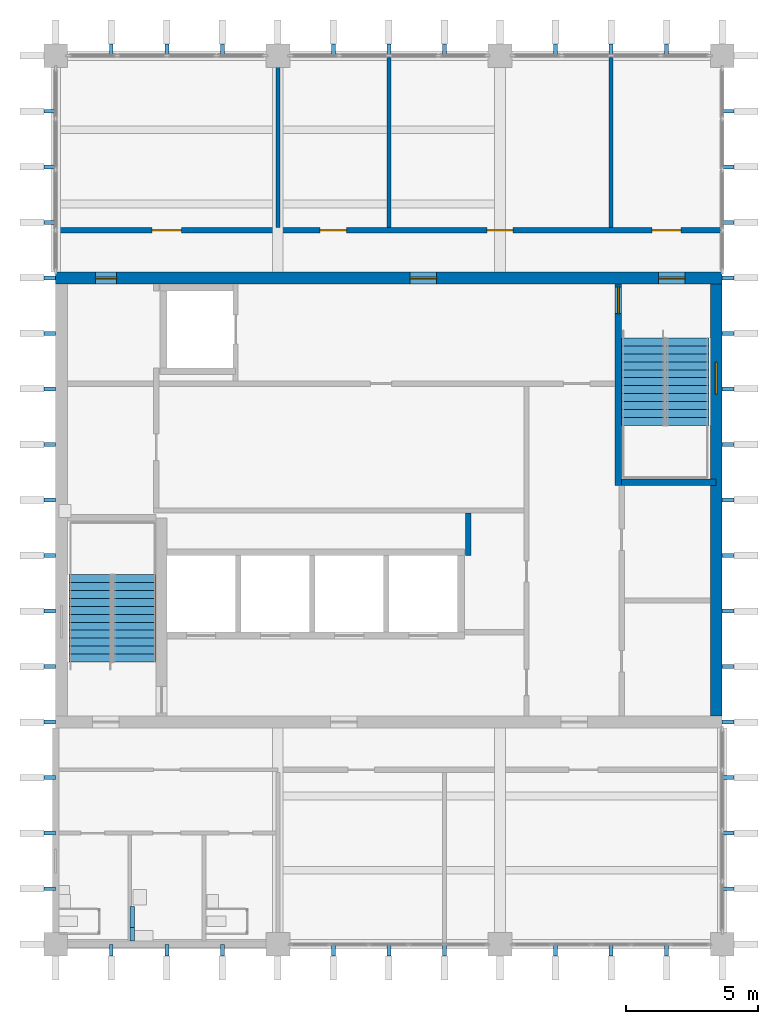
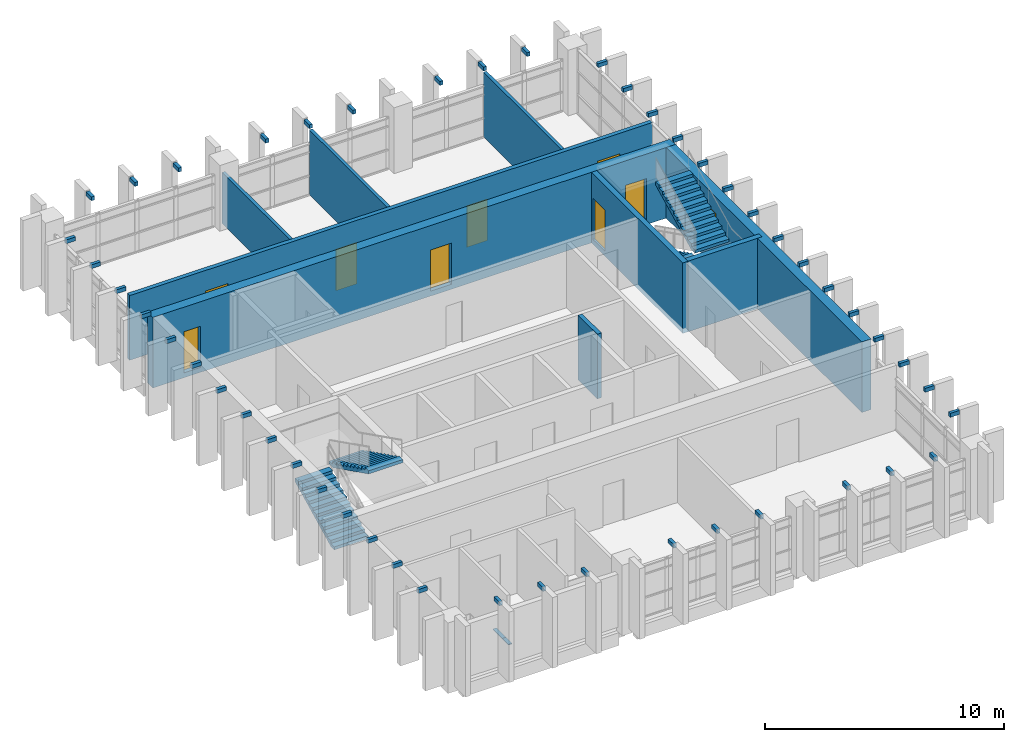
# One storey, part 8 of 10: 50 discrete accessories, 9 walls, 8 doors, 4 stair flights, 1 window, 9 openings, 2 elements without a shape of their own.
"""IFC4 building model written with IfcOpenShell, lengths in metres."""

from ifc_helpers import new_model, si_unit, direction, frame, frame_2d, origin, origin_2d, place, context, subcontext, project, spatial, polyline, rectangle, outline, extrude, material, layer, layer_set, type_object, element, fill, aggregate, save


model = new_model("IFC4")

# Units and contexts
model_context = context("Model", 3, precision=1e-05, world=origin(), true_north=direction((0.0, 1.0)))
body_context = subcontext(model_context, "Body", "Model", "MODEL_VIEW")
ifc_project = project(units=[si_unit("LENGTHUNIT", "METRE"), si_unit("AREAUNIT", "SQUARE_METRE"), si_unit("VOLUMEUNIT", "CUBIC_METRE"), si_unit("PLANEANGLEUNIT", "RADIAN"), si_unit("MASSUNIT", "GRAM", prefix="KILO")], contexts=[model_context])

# Site, building, storey
site_placement = place(None, origin())
site = spatial("IfcSite", under=ifc_project, at=site_placement, CompositionType="ELEMENT")
building_placement = place(site_placement, origin())
building = spatial("IfcBuilding", under=site, at=building_placement, Name="Rulbaag Community and Learning Centre", CompositionType="ELEMENT")
storey_placement = place(building_placement, frame((0.0, 0.0, 28.800048828125)))
storey = spatial("IfcBuildingStorey", under=building, at=storey_placement, Name="L07", CompositionType="ELEMENT", Elevation=28.800048828125)

# Wall, openings, doors
ifc_material_1 = material(Name="Concrete blockwork", Category="masonry")
ifc_layer_1 = layer(ifc_material_1, 0.199951171875)
ifc_layer_set_1 = layer_set([ifc_layer_1], Name="FW-200 FIRE WALL 200")
wall_type_1 = type_object("IfcWallType", Name="FW-200 FIRE WALL 200", PredefinedType="SOLIDWALL", material=ifc_layer_set_1)
wall_1_placement = place(storey_placement, frame((142.800048828125, 111.0, 0.0), z_axis=(0.0, 0.0, 1.0), x_axis=(1.0, 0.0, 0.0)))
wall_1 = element("IfcWall", 1, at=wall_1_placement, inside=storey, type_object=wall_type_1, Name="Fire wall L07 10", PredefinedType="SOLIDWALL", context=body_context, shape_type="SweptSolid", body=[
    extrude(rectangle(XDim=25.199951171875, YDim=0.199951171875, at=frame_2d((12.60009765625, 0.0))), origin(), (0.0, 0.0, 1.0), 3.300048828125),
])
opening_1_placement = place(wall_1_placement, frame((3.64990234375, 0.0, 0.0)))
opening_1 = element("IfcOpeningElement", 2, at=opening_1_placement, cuts=wall_1, Name="Opening L07-D009", PredefinedType="OPENING", context=body_context, shape_type="SweptSolid", body=[
    extrude(rectangle(XDim=1.10009765625, YDim=2.25, at=frame_2d((0.550048828125, 1.125))), frame((0.0, 0.10986328125, 0.0), z_axis=(0.0, -1.0, 0.0), x_axis=(1.0, 0.0, 0.0)), (0.0, 0.0, 1.0), 0.219970703125),
])
opening_2_placement = place(wall_1_placement, frame((10.0, 0.0, 0.0)))
opening_2 = element("IfcOpeningElement", 3, at=opening_2_placement, cuts=wall_1, Name="Opening L07-D015", PredefinedType="OPENING", context=body_context, shape_type="SweptSolid", body=[
    extrude(rectangle(XDim=1.0, YDim=2.10009765625, at=frame_2d((0.5, 1.050048828125))), frame((0.0, 0.10986328125, 0.0), z_axis=(0.0, -1.0, 0.0), x_axis=(1.0, 0.0, 0.0)), (0.0, 0.0, 1.0), 0.219970703125),
])
opening_3_placement = place(wall_1_placement, frame((16.300048828125, 0.0, 0.0)))
opening_3 = element("IfcOpeningElement", 4, at=opening_3_placement, cuts=wall_1, Name="Opening L07-D022", PredefinedType="OPENING", context=body_context, shape_type="SweptSolid", body=[
    extrude(rectangle(XDim=1.0, YDim=2.10009765625, at=frame_2d((0.5, 1.050048828125))), frame((0.0, 0.10986328125, 0.0), z_axis=(0.0, -1.0, 0.0), x_axis=(1.0, 0.0, 0.0)), (0.0, 0.0, 1.0), 0.219970703125),
])
opening_4_placement = place(wall_1_placement, frame((22.550048828125, 0.0, 0.0)))
opening_4 = element("IfcOpeningElement", 5, at=opening_4_placement, cuts=wall_1, Name="Opening L07-D031", PredefinedType="OPENING", context=body_context, shape_type="SweptSolid", body=[
    extrude(rectangle(XDim=1.10009765625, YDim=2.25, at=frame_2d((0.550048828125, 1.125))), frame((0.0, 0.10986328125, 0.0), z_axis=(0.0, -1.0, 0.0), x_axis=(1.0, 0.0, 0.0)), (0.0, 0.0, 1.0), 0.219970703125),
])
ifc_material_2 = material(Name="Timber", Category="wood")
door_type_1 = type_object("IfcDoorType", Name="D-1100 OFFICE SUITE ENTRANCE DOOR 1100 x 2250", OperationType="SINGLE_SWING_LEFT", PredefinedType="DOOR", material=ifc_material_2)
door_1_placement = place(opening_1_placement, origin())
door_1 = element("IfcDoor", 6, at=door_1_placement, inside=storey, type_object=door_type_1, Name="Door L07-D009", OperationType="SINGLE_SWING_RIGHT", OverallHeight=2.25, OverallWidth=1.10009765625, PredefinedType="DOOR", context=body_context, shape_type="SweptSolid", body=[
    extrude(rectangle(XDim=1.10009765625, YDim=2.25, at=frame_2d((0.550048828125, 1.125))), frame((0.0, 0.02490234375, 0.0), z_axis=(0.0, -1.0, 0.0), x_axis=(1.0, 0.0, 0.0)), (0.0, 0.0, 1.0), 0.050048828125),
])
fill(opening_1, door_1)
door_2_placement = place(opening_4_placement, origin())
door_2 = element("IfcDoor", 7, at=door_2_placement, inside=storey, type_object=door_type_1, Name="Door L07-D031", OperationType="SINGLE_SWING_LEFT", OverallHeight=2.25, OverallWidth=1.10009765625, PredefinedType="DOOR", context=body_context, shape_type="SweptSolid", body=[
    extrude(rectangle(XDim=1.10009765625, YDim=2.25, at=frame_2d((0.550048828125, 1.125))), frame((0.0, 0.02490234375, 0.0), z_axis=(0.0, -1.0, 0.0), x_axis=(1.0, 0.0, 0.0)), (0.0, 0.0, 1.0), 0.050048828125),
])
fill(opening_4, door_2)
ifc_material_3 = material(Name="Galvanised steel", Category="steel")
door_type_2 = type_object("IfcDoorType", Name="FD-1000 FIRE DOOR 1000 x 2100", OperationType="SINGLE_SWING_LEFT", PredefinedType="DOOR", material=ifc_material_3)
door_3_placement = place(opening_2_placement, origin())
door_3 = element("IfcDoor", 8, at=door_3_placement, inside=storey, type_object=door_type_2, Name="Door L07-D015", OperationType="SINGLE_SWING_RIGHT", OverallHeight=2.10009765625, OverallWidth=1.0, PredefinedType="DOOR", context=body_context, shape_type="SweptSolid", body=[
    extrude(rectangle(XDim=1.0, YDim=2.10009765625, at=frame_2d((0.5, 1.050048828125))), frame((0.0, 0.02490234375, 0.0), z_axis=(0.0, -1.0, 0.0), x_axis=(1.0, 0.0, 0.0)), (0.0, 0.0, 1.0), 0.050048828125),
])
fill(opening_2, door_3)
door_4_placement = place(opening_3_placement, origin())
door_4 = element("IfcDoor", 9, at=door_4_placement, inside=storey, type_object=door_type_2, Name="Door L07-D022", OperationType="SINGLE_SWING_LEFT", OverallHeight=2.10009765625, OverallWidth=1.0, PredefinedType="DOOR", context=body_context, shape_type="SweptSolid", body=[
    extrude(rectangle(XDim=1.0, YDim=2.10009765625, at=frame_2d((0.5, 1.050048828125))), frame((0.0, 0.02490234375, 0.0), z_axis=(0.0, -1.0, 0.0), x_axis=(1.0, 0.0, 0.0)), (0.0, 0.0, 1.0), 0.050048828125),
])
fill(opening_3, door_4)

# Walls
wall_2_placement = place(storey_placement, frame((158.39990234375, 98.699951171875, 0.0), z_axis=(0.0, 0.0, 1.0), x_axis=(0.0, 1.0, 0.0)))
element("IfcWall", 10, at=wall_2_placement, inside=storey, type_object=wall_type_1, Name="Fire wall L07 20", PredefinedType="SOLIDWALL", context=body_context, shape_type="SweptSolid", body=[
    extrude(rectangle(XDim=1.60009765625, YDim=0.199951171875, at=frame_2d((0.800048828125, 0.0))), origin(), (0.0, 0.0, 1.0), 3.300048828125),
])
ifc_layer_2 = layer(ifc_material_1, 0.14990234375)
ifc_layer_set_2 = layer_set([ifc_layer_2], Name="IP-150 PARTITION 150")
wall_type_2 = type_object("IfcWallType", Name="IP-150 PARTITION 150", PredefinedType="PARTITIONING", material=ifc_layer_set_2)
wall_3_placement = place(storey_placement, frame((151.199951171875, 111.10009765625, 0.0), z_axis=(0.0, 0.0, 1.0), x_axis=(0.0, 1.0, 0.0)))
element("IfcWall", 11, at=wall_3_placement, inside=storey, type_object=wall_type_2, Name="Partition L07 17", PredefinedType="PARTITIONING", context=body_context, shape_type="SweptSolid", body=[
    extrude(rectangle(XDim=6.5, YDim=0.14990234375, at=frame_2d((3.25, 0.0))), origin(), (0.0, 0.0, 1.0), 2.599853515625),
])
for number, where, z_axis, x_axis, name in (
    (12, (155.39990234375, 111.10009765625, 0.0), (0.0, 0.0, 1.0), (0.0, 1.0, 0.0), "Partition L07 18"),
    (13, (163.800048828125, 111.10009765625, 0.0), (0.0, 0.0, 1.0), (0.0, 1.0, 0.0), "Partition L07 22"),
):
    element("IfcWall", number, at=place(storey_placement, frame(where, z_axis=z_axis, x_axis=x_axis)), inside=storey, type_object=wall_type_2, Name=name, PredefinedType="PARTITIONING", context=body_context, shape_type="SweptSolid", body=[
        extrude(rectangle(XDim=6.5, YDim=0.14990234375, at=frame_2d((3.25, 0.0))), origin(), (0.0, 0.0, 1.0), 3.300048828125),
    ])

# Wall, openings, doors
ifc_material_4 = material(Name="Concrete M60", Category="concrete")
ifc_layer_3 = layer(ifc_material_4, 0.449951171875)
ifc_layer_set_3 = layer_set([ifc_layer_3], Name="W1 Core wall 450 Concrete M60")
wall_type_3 = type_object("IfcWallType", Name="W1 Core wall 450 Concrete M60", PredefinedType="SHEAR", material=ifc_layer_set_3)
wall_4_placement = place(storey_placement, frame((142.800048828125, 109.199951171875, -0.25), z_axis=(0.0, 0.0, 1.0), x_axis=(1.0, 0.0, 0.0)))
wall_4 = element("IfcWall", 14, at=wall_4_placement, inside=storey, type_object=wall_type_3, Name="WL-CORE-N-L07", PredefinedType="SHEAR", context=body_context, shape_type="SweptSolid", body=[
    extrude(rectangle(XDim=25.199951171875, YDim=0.449951171875, at=frame_2d((12.60009765625, 0.0))), origin(), (0.0, 0.0, 1.0), 3.599853515625),
])
opening_5_placement = place(wall_4_placement, frame((22.800048828125, 0.0, 0.25)))
opening_5 = element("IfcOpeningElement", 15, at=opening_5_placement, cuts=wall_4, Name="Opening L07-D032", PredefinedType="OPENING", context=body_context, shape_type="SweptSolid", body=[
    extrude(rectangle(XDim=1.0, YDim=2.10009765625, at=frame_2d((0.5, 1.050048828125))), frame((0.0, 0.23486328125, 0.0), z_axis=(0.0, -1.0, 0.0), x_axis=(1.0, 0.0, 0.0)), (0.0, 0.0, 1.0), 0.469970703125),
])
opening_6_placement = place(wall_4_placement, frame((1.5, 0.0, 0.25)))
opening_6 = element("IfcOpeningElement", 16, at=opening_6_placement, cuts=wall_4, Name="Opening L07-D004", PredefinedType="OPENING", context=body_context, shape_type="SweptSolid", body=[
    extrude(rectangle(XDim=0.800048828125, YDim=2.10009765625, at=frame_2d((0.39990234375, 1.050048828125))), frame((0.0, 0.23486328125, 0.0), z_axis=(0.0, -1.0, 0.0), x_axis=(1.0, 0.0, 0.0)), (0.0, 0.0, 1.0), 0.469970703125),
])
opening_7_placement = place(wall_4_placement, frame((13.39990234375, 0.0, 0.25)))
opening_7 = element("IfcOpeningElement", 17, at=opening_7_placement, cuts=wall_4, Name="Opening L07-D021", PredefinedType="OPENING", context=body_context, shape_type="SweptSolid", body=[
    extrude(rectangle(XDim=1.0, YDim=2.10009765625, at=frame_2d((0.5, 1.050048828125))), frame((0.0, 0.23486328125, 0.0), z_axis=(0.0, -1.0, 0.0), x_axis=(1.0, 0.0, 0.0)), (0.0, 0.0, 1.0), 0.469970703125),
])
door_5_placement = place(opening_5_placement, origin())
door_5 = element("IfcDoor", 18, at=door_5_placement, inside=storey, type_object=door_type_2, Name="Door L07-D032", OperationType="SINGLE_SWING_LEFT", OverallHeight=2.10009765625, OverallWidth=1.0, PredefinedType="DOOR", context=body_context, shape_type="SweptSolid", body=[
    extrude(rectangle(XDim=1.0, YDim=2.10009765625, at=frame_2d((0.5, 1.050048828125))), frame((0.0, 0.02490234375, 0.0), z_axis=(0.0, -1.0, 0.0), x_axis=(1.0, 0.0, 0.0)), (0.0, 0.0, 1.0), 0.050048828125),
])
fill(opening_5, door_5)
door_6_placement = place(opening_7_placement, origin())
door_6 = element("IfcDoor", 19, at=door_6_placement, inside=storey, type_object=door_type_2, Name="Door L07-D021", OperationType="SINGLE_SWING_LEFT", OverallHeight=2.10009765625, OverallWidth=1.0, PredefinedType="DOOR", context=body_context, shape_type="SweptSolid", body=[
    extrude(rectangle(XDim=1.0, YDim=2.10009765625, at=frame_2d((0.5, 1.050048828125))), frame((0.0, 0.02490234375, 0.0), z_axis=(0.0, -1.0, 0.0), x_axis=(1.0, 0.0, 0.0)), (0.0, 0.0, 1.0), 0.050048828125),
])
fill(opening_7, door_6)
door_type_3 = type_object("IfcDoorType", Name="FDR-800 RISER FIRE DOOR 800 x 2100", OperationType="SINGLE_SWING_LEFT", PredefinedType="DOOR", material=ifc_material_3)
door_7_placement = place(opening_6_placement, origin())
door_7 = element("IfcDoor", 20, at=door_7_placement, inside=storey, type_object=door_type_3, Name="Riser door L07-D024", OperationType="SINGLE_SWING_LEFT", OverallHeight=2.10009765625, OverallWidth=0.800048828125, PredefinedType="DOOR", context=body_context, shape_type="SweptSolid", body=[
    extrude(rectangle(XDim=0.800048828125, YDim=2.10009765625, at=frame_2d((0.39990234375, 1.050048828125))), frame((0.0, 0.02490234375, 0.0), z_axis=(0.0, -1.0, 0.0), x_axis=(1.0, 0.0, 0.0)), (0.0, 0.0, 1.0), 0.050048828125),
])
fill(opening_6, door_7)

# Wall, opening, window
wall_5_placement = place(storey_placement, frame((167.77490234375, 92.625, -0.25), z_axis=(0.0, 0.0, 1.0), x_axis=(0.0, 1.0, 0.0)))
wall_5 = element("IfcWall", 21, at=wall_5_placement, inside=storey, type_object=wall_type_3, Name="WL-CORE-E-L07", PredefinedType="SHEAR", context=body_context, shape_type="SweptSolid", body=[
    extrude(rectangle(XDim=16.35009765625, YDim=0.449951171875, at=frame_2d((8.175048828125, 0.0))), origin(), (0.0, 0.0, 1.0), 3.599853515625),
])
opening_8_placement = place(wall_5_placement, frame((12.175048828125, 0.0, 1.85009765625)))
opening_8 = element("IfcOpeningElement", 22, at=opening_8_placement, cuts=wall_5, Name="Opening WN19", PredefinedType="OPENING", context=body_context, shape_type="SweptSolid", body=[
    extrude(rectangle(XDim=1.199951171875, YDim=0.89990234375, at=frame_2d((0.60009765625, 0.449951171875))), frame((0.0, 0.23486328125, 0.0), z_axis=(0.0, -1.0, 0.0), x_axis=(1.0, 0.0, 0.0)), (0.0, 0.0, 1.0), 0.469970703125),
])
ifc_material_5 = material(Name="Aluminium", Category="aluminium")
window_type = type_object("IfcWindowType", Name="WS-12", PartitioningType="SINGLE_PANEL", PredefinedType="WINDOW", material=ifc_material_5)
window_placement = place(opening_8_placement, origin())
window = element("IfcWindow", 23, at=window_placement, inside=storey, type_object=window_type, Name="Stair window", OverallHeight=0.89990234375, OverallWidth=1.199951171875, PartitioningType="SINGLE_PANEL", PredefinedType="WINDOW", context=body_context, shape_type="SweptSolid", body=[
    extrude(rectangle(XDim=1.199951171875, YDim=0.89990234375, at=frame_2d((0.60009765625, 0.449951171875))), frame((0.0, 0.030029296875, 0.0), z_axis=(0.0, -1.0, 0.0), x_axis=(1.0, 0.0, 0.0)), (0.0, 0.0, 1.0), 0.06005859375),
])
fill(opening_8, window)

# Wall, opening, door
ifc_material_6 = material(Name="Concrete M40", Category="concrete")
ifc_layer_4 = layer(ifc_material_6, 0.25)
ifc_layer_set_4 = layer_set([ifc_layer_4], Name="W5 Shaft wall 250 Concrete M40")
wall_type_4 = type_object("IfcWallType", Name="W5 Shaft wall 250 Concrete M40", PredefinedType="SHEAR", material=ifc_layer_set_4)
wall_6_placement = place(storey_placement, frame((164.074951171875, 101.35009765625, -0.25), z_axis=(0.0, 0.0, 1.0), x_axis=(0.0, 1.0, 0.0)))
wall_6 = element("IfcWall", 24, at=wall_6_placement, inside=storey, type_object=wall_type_4, Name="WL-ST2-W-L07", PredefinedType="SHEAR", context=body_context, shape_type="SweptSolid", body=[
    extrude(rectangle(XDim=7.625, YDim=0.25, at=frame_2d((3.8125, 0.0))), origin(), (0.0, 0.0, 1.0), 3.599853515625),
])
opening_9_placement = place(wall_6_placement, frame((6.5, 0.0, 0.25)))
opening_9 = element("IfcOpeningElement", 25, at=opening_9_placement, cuts=wall_6, Name="Opening L07-D028", PredefinedType="OPENING", context=body_context, shape_type="SweptSolid", body=[
    extrude(rectangle(XDim=1.0, YDim=2.10009765625, at=frame_2d((0.5, 1.050048828125))), frame((0.0, 0.135009765625, 0.0), z_axis=(0.0, -1.0, 0.0), x_axis=(1.0, 0.0, 0.0)), (0.0, 0.0, 1.0), 0.27001953125),
])
door_8_placement = place(opening_9_placement, origin())
door_8 = element("IfcDoor", 26, at=door_8_placement, inside=storey, type_object=door_type_2, Name="Door L07-D028", OperationType="SINGLE_SWING_LEFT", OverallHeight=2.10009765625, OverallWidth=1.0, PredefinedType="DOOR", context=body_context, shape_type="SweptSolid", body=[
    extrude(rectangle(XDim=1.0, YDim=2.10009765625, at=frame_2d((0.5, 1.050048828125))), frame((0.0, 0.02490234375, 0.0), z_axis=(0.0, -1.0, 0.0), x_axis=(1.0, 0.0, 0.0)), (0.0, 0.0, 1.0), 0.050048828125),
])
fill(opening_9, door_8)

# Wall
wall_7_placement = place(storey_placement, frame((164.199951171875, 101.47509765625, -0.25), z_axis=(0.0, 0.0, 1.0), x_axis=(1.0, 0.0, 0.0)))
element("IfcWall", 27, at=wall_7_placement, inside=storey, type_object=wall_type_4, Name="WL-ST2-S-L07", PredefinedType="SHEAR", context=body_context, shape_type="SweptSolid", body=[
    extrude(rectangle(XDim=3.574951171875, YDim=0.25, at=frame_2d((1.78759765625, 0.0))), origin(), (0.0, 0.0, 1.0), 3.599853515625),
])

# Stair, stair flights
stair_type = type_object("IfcStairType", Name="ST-1650 STAIR 1650 WIDE", PredefinedType="HALF_TURN_STAIR", material=ifc_material_6)
stair_1_placement = place(storey_placement, origin())
stair_1 = element("IfcStair", 28, at=stair_1_placement, inside=storey, type_object=stair_type, Name="Stair ST1 L07", PredefinedType="HALF_TURN_STAIR")
stair_flight_type = type_object("IfcStairFlightType", Name="FL-1650 FLIGHT 1650 WIDE Concrete M40", PredefinedType="STRAIGHT", material=ifc_material_6)
stair_flight_1_placement = place(storey_placement, frame((144.125, 94.675048828125, 0.0), z_axis=(0.0, 0.0, 1.0), x_axis=(0.0, 1.0, 0.0)))
stair_flight_1 = element("IfcStairFlight", 29, at=stair_flight_1_placement, type_object=stair_flight_type, Name="ST1 flight 1", NumberOfRisers=12, NumberOfTreads=11, PredefinedType="STRAIGHT", RiserHeight=0.15, TreadLength=0.3, context=body_context, shape_type="SweptSolid", body=[
    extrude(outline(polyline([(0.0, 0.0), (0.0, 0.14990234375), (0.300048828125, 0.14990234375), (0.300048828125, 0.300048828125), (0.60009765625, 0.300048828125), (0.60009765625, 0.449951171875), (0.89990234375, 0.449951171875), (0.89990234375, 0.60009765625), (1.199951171875, 0.60009765625), (1.199951171875, 0.75), (1.5, 0.75), (1.5, 0.89990234375), (1.800048828125, 0.89990234375), (1.800048828125, 1.050048828125), (2.10009765625, 1.050048828125), (2.10009765625, 1.199951171875), (2.39990234375, 1.199951171875), (2.39990234375, 1.35009765625), (2.699951171875, 1.35009765625), (2.699951171875, 1.5), (3.0, 1.5), (3.0, 1.64990234375), (3.300048828125, 1.64990234375), (3.300048828125, 1.49365234375), (0.312744140625, 0.0), (0.0, 0.0)])), frame((0.0, 0.824951171875, 0.0), z_axis=(0.0, -1.0, 0.0), x_axis=(1.0, 0.0, 0.0)), (0.0, 0.0, 1.0), 1.64990234375),
])
stair_flight_2_placement = place(storey_placement, frame((145.77490234375, 97.97509765625, 1.800048828125), z_axis=(0.0, 0.0, 1.0), x_axis=(0.0, -1.0, 0.0)))
stair_flight_2 = element("IfcStairFlight", 30, at=stair_flight_2_placement, type_object=stair_flight_type, Name="ST1 flight 2", NumberOfRisers=12, NumberOfTreads=11, PredefinedType="STRAIGHT", RiserHeight=0.15, TreadLength=0.3, context=body_context, shape_type="SweptSolid", body=[
    extrude(outline(polyline([(0.0, 0.0), (0.0, 0.14990234375), (0.300048828125, 0.14990234375), (0.300048828125, 0.300048828125), (0.60009765625, 0.300048828125), (0.60009765625, 0.449951171875), (0.89990234375, 0.449951171875), (0.89990234375, 0.60009765625), (1.199951171875, 0.60009765625), (1.199951171875, 0.75), (1.5, 0.75), (1.5, 0.89990234375), (1.800048828125, 0.89990234375), (1.800048828125, 1.050048828125), (2.10009765625, 1.050048828125), (2.10009765625, 1.199951171875), (2.39990234375, 1.199951171875), (2.39990234375, 1.35009765625), (2.699951171875, 1.35009765625), (2.699951171875, 1.5), (3.0, 1.5), (3.0, 1.64990234375), (3.300048828125, 1.64990234375), (3.300048828125, 1.49365234375), (0.312744140625, 0.0), (0.0, 0.0)])), frame((0.0, 0.824951171875, 0.0), z_axis=(0.0, -1.0, 0.0), x_axis=(1.0, 0.0, 0.0)), (0.0, 0.0, 1.0), 1.64990234375),
])
aggregate(stair_1, [stair_flight_1, stair_flight_2])

stair_2_placement = place(storey_placement, origin())
stair_2 = element("IfcStair", 31, at=stair_2_placement, inside=storey, type_object=stair_type, Name="Stair ST2 L07", PredefinedType="HALF_TURN_STAIR")
stair_flight_3_placement = place(storey_placement, frame((165.02490234375, 106.925048828125, 0.0), z_axis=(0.0, 0.0, 1.0), x_axis=(0.0, -1.0, 0.0)))
stair_flight_3 = element("IfcStairFlight", 32, at=stair_flight_3_placement, type_object=stair_flight_type, Name="ST2 flight 1", NumberOfRisers=12, NumberOfTreads=11, PredefinedType="STRAIGHT", RiserHeight=0.15, TreadLength=0.3, context=body_context, shape_type="SweptSolid", body=[
    extrude(outline(polyline([(0.0, 0.0), (0.0, 0.14990234375), (0.300048828125, 0.14990234375), (0.300048828125, 0.300048828125), (0.60009765625, 0.300048828125), (0.60009765625, 0.449951171875), (0.89990234375, 0.449951171875), (0.89990234375, 0.60009765625), (1.199951171875, 0.60009765625), (1.199951171875, 0.75), (1.5, 0.75), (1.5, 0.89990234375), (1.800048828125, 0.89990234375), (1.800048828125, 1.050048828125), (2.10009765625, 1.050048828125), (2.10009765625, 1.199951171875), (2.39990234375, 1.199951171875), (2.39990234375, 1.35009765625), (2.699951171875, 1.35009765625), (2.699951171875, 1.5), (3.0, 1.5), (3.0, 1.64990234375), (3.300048828125, 1.64990234375), (3.300048828125, 1.49365234375), (0.312744140625, 0.0), (0.0, 0.0)])), frame((0.0, 0.824951171875, 0.0), z_axis=(0.0, -1.0, 0.0), x_axis=(1.0, 0.0, 0.0)), (0.0, 0.0, 1.0), 1.64990234375),
])
stair_flight_4_placement = place(storey_placement, frame((166.675048828125, 103.625, 1.800048828125), z_axis=(0.0, 0.0, 1.0), x_axis=(0.0, 1.0, 0.0)))
stair_flight_4 = element("IfcStairFlight", 33, at=stair_flight_4_placement, type_object=stair_flight_type, Name="ST2 flight 2", NumberOfRisers=12, NumberOfTreads=11, PredefinedType="STRAIGHT", RiserHeight=0.15, TreadLength=0.3, context=body_context, shape_type="SweptSolid", body=[
    extrude(outline(polyline([(0.0, 0.0), (0.0, 0.14990234375), (0.300048828125, 0.14990234375), (0.300048828125, 0.300048828125), (0.60009765625, 0.300048828125), (0.60009765625, 0.449951171875), (0.89990234375, 0.449951171875), (0.89990234375, 0.60009765625), (1.199951171875, 0.60009765625), (1.199951171875, 0.75), (1.5, 0.75), (1.5, 0.89990234375), (1.800048828125, 0.89990234375), (1.800048828125, 1.050048828125), (2.10009765625, 1.050048828125), (2.10009765625, 1.199951171875), (2.39990234375, 1.199951171875), (2.39990234375, 1.35009765625), (2.699951171875, 1.35009765625), (2.699951171875, 1.5), (3.0, 1.5), (3.0, 1.64990234375), (3.300048828125, 1.64990234375), (3.300048828125, 1.49365234375), (0.312744140625, 0.0), (0.0, 0.0)])), frame((0.0, 0.824951171875, 0.0), z_axis=(0.0, -1.0, 0.0), x_axis=(1.0, 0.0, 0.0)), (0.0, 0.0, 1.0), 1.64990234375),
])
aggregate(stair_2, [stair_flight_3, stair_flight_4])

# Discrete accessories
ifc_material_7 = material(Name="Steel E350", Category="steel")
discrete_accessory_type_1 = type_object("IfcDiscreteAccessoryType", Name="BR-FN", PredefinedType="BRACKET", material=ifc_material_7)
for number, where, z_axis, x_axis, name in (
    (34, (144.89990234375, 83.77490234375, 3.35009765625), (0.0, 0.0, 1.0), (1.0, 0.0, 0.0), "Fin arm"),
    (35, (147.0, 83.77490234375, 3.35009765625), (0.0, 0.0, 1.0), (1.0, 0.0, 0.0), "Fin arm"),
    (36, (149.10009765625, 83.77490234375, 3.35009765625), (0.0, 0.0, 1.0), (1.0, 0.0, 0.0), "Fin arm"),
    (37, (153.300048828125, 83.77490234375, 3.35009765625), (0.0, 0.0, 1.0), (1.0, 0.0, 0.0), "Fin arm"),
    (38, (155.39990234375, 83.77490234375, 3.35009765625), (0.0, 0.0, 1.0), (1.0, 0.0, 0.0), "Fin arm"),
    (39, (157.5, 83.77490234375, 3.35009765625), (0.0, 0.0, 1.0), (1.0, 0.0, 0.0), "Fin arm"),
    (40, (161.699951171875, 83.77490234375, 3.35009765625), (0.0, 0.0, 1.0), (1.0, 0.0, 0.0), "Fin arm"),
    (41, (163.800048828125, 83.77490234375, 3.35009765625), (0.0, 0.0, 1.0), (1.0, 0.0, 0.0), "Fin arm"),
    (42, (165.89990234375, 83.77490234375, 3.35009765625), (0.0, 0.0, 1.0), (1.0, 0.0, 0.0), "Fin arm"),
    (43, (144.89990234375, 117.824951171875, 3.35009765625), (0.0, 0.0, 1.0), (1.0, 0.0, 0.0), "Fin arm"),
    (44, (147.0, 117.824951171875, 3.35009765625), (0.0, 0.0, 1.0), (1.0, 0.0, 0.0), "Fin arm"),
    (45, (149.10009765625, 117.824951171875, 3.35009765625), (0.0, 0.0, 1.0), (1.0, 0.0, 0.0), "Fin arm"),
    (46, (153.300048828125, 117.824951171875, 3.35009765625), (0.0, 0.0, 1.0), (1.0, 0.0, 0.0), "Fin arm"),
    (47, (155.39990234375, 117.824951171875, 3.35009765625), (0.0, 0.0, 1.0), (1.0, 0.0, 0.0), "Fin arm"),
    (48, (157.5, 117.824951171875, 3.35009765625), (0.0, 0.0, 1.0), (1.0, 0.0, 0.0), "Fin arm"),
    (49, (161.699951171875, 117.824951171875, 3.35009765625), (0.0, 0.0, 1.0), (1.0, 0.0, 0.0), "Fin arm"),
    (50, (163.800048828125, 117.824951171875, 3.35009765625), (0.0, 0.0, 1.0), (1.0, 0.0, 0.0), "Fin arm"),
    (51, (165.89990234375, 117.824951171875, 3.35009765625), (0.0, 0.0, 1.0), (1.0, 0.0, 0.0), "Fin arm"),
):
    element("IfcDiscreteAccessory", number, at=place(storey_placement, frame(where, z_axis=z_axis, x_axis=x_axis)), inside=storey, type_object=discrete_accessory_type_1, Name=name, PredefinedType="BRACKET", context=body_context, shape_type="SweptSolid", body=[
        extrude(rectangle(XDim=0.14990234375, YDim=0.449951171875, at=origin_2d()), origin(), (0.0, 0.0, 1.0), 0.199951171875),
    ])
for number, where, z_axis, x_axis, name in (
    (52, (142.574951171875, 86.10009765625, 3.35009765625), (0.0, 0.0, 1.0), (1.0, 0.0, 0.0), "Fin arm"),
    (53, (142.574951171875, 88.199951171875, 3.35009765625), (0.0, 0.0, 1.0), (1.0, 0.0, 0.0), "Fin arm"),
    (54, (142.574951171875, 90.300048828125, 3.35009765625), (0.0, 0.0, 1.0), (1.0, 0.0, 0.0), "Fin arm"),
    (55, (142.574951171875, 92.39990234375, 3.35009765625), (0.0, 0.0, 1.0), (1.0, 0.0, 0.0), "Fin arm"),
    (56, (142.574951171875, 94.5, 3.35009765625), (0.0, 0.0, 1.0), (1.0, 0.0, 0.0), "Fin arm"),
    (57, (142.574951171875, 96.60009765625, 3.35009765625), (0.0, 0.0, 1.0), (1.0, 0.0, 0.0), "Fin arm"),
    (58, (142.574951171875, 98.699951171875, 3.35009765625), (0.0, 0.0, 1.0), (1.0, 0.0, 0.0), "Fin arm"),
    (59, (142.574951171875, 100.800048828125, 3.35009765625), (0.0, 0.0, 1.0), (1.0, 0.0, 0.0), "Fin arm"),
    (60, (142.574951171875, 102.89990234375, 3.35009765625), (0.0, 0.0, 1.0), (1.0, 0.0, 0.0), "Fin arm"),
    (61, (142.574951171875, 105.0, 3.35009765625), (0.0, 0.0, 1.0), (1.0, 0.0, 0.0), "Fin arm"),
    (62, (142.574951171875, 107.10009765625, 3.35009765625), (0.0, 0.0, 1.0), (1.0, 0.0, 0.0), "Fin arm"),
    (63, (142.574951171875, 109.199951171875, 3.35009765625), (0.0, 0.0, 1.0), (1.0, 0.0, 0.0), "Fin arm"),
    (64, (142.574951171875, 111.300048828125, 3.35009765625), (0.0, 0.0, 1.0), (1.0, 0.0, 0.0), "Fin arm"),
    (65, (142.574951171875, 113.39990234375, 3.35009765625), (0.0, 0.0, 1.0), (1.0, 0.0, 0.0), "Fin arm"),
    (66, (142.574951171875, 115.5, 3.35009765625), (0.0, 0.0, 1.0), (1.0, 0.0, 0.0), "Fin arm"),
    (67, (168.22509765625, 86.10009765625, 3.35009765625), (0.0, 0.0, 1.0), (1.0, 0.0, 0.0), "Fin arm"),
    (68, (168.22509765625, 88.199951171875, 3.35009765625), (0.0, 0.0, 1.0), (1.0, 0.0, 0.0), "Fin arm"),
    (69, (168.22509765625, 90.300048828125, 3.35009765625), (0.0, 0.0, 1.0), (1.0, 0.0, 0.0), "Fin arm"),
    (70, (168.22509765625, 92.39990234375, 3.35009765625), (0.0, 0.0, 1.0), (1.0, 0.0, 0.0), "Fin arm"),
    (71, (168.22509765625, 94.5, 3.35009765625), (0.0, 0.0, 1.0), (1.0, 0.0, 0.0), "Fin arm"),
    (72, (168.22509765625, 96.60009765625, 3.35009765625), (0.0, 0.0, 1.0), (1.0, 0.0, 0.0), "Fin arm"),
    (73, (168.22509765625, 98.699951171875, 3.35009765625), (0.0, 0.0, 1.0), (1.0, 0.0, 0.0), "Fin arm"),
    (74, (168.22509765625, 100.800048828125, 3.35009765625), (0.0, 0.0, 1.0), (1.0, 0.0, 0.0), "Fin arm"),
    (75, (168.22509765625, 102.89990234375, 3.35009765625), (0.0, 0.0, 1.0), (1.0, 0.0, 0.0), "Fin arm"),
    (76, (168.22509765625, 105.0, 3.35009765625), (0.0, 0.0, 1.0), (1.0, 0.0, 0.0), "Fin arm"),
    (77, (168.22509765625, 107.10009765625, 3.35009765625), (0.0, 0.0, 1.0), (1.0, 0.0, 0.0), "Fin arm"),
    (78, (168.22509765625, 109.199951171875, 3.35009765625), (0.0, 0.0, 1.0), (1.0, 0.0, 0.0), "Fin arm"),
    (79, (168.22509765625, 111.300048828125, 3.35009765625), (0.0, 0.0, 1.0), (1.0, 0.0, 0.0), "Fin arm"),
    (80, (168.22509765625, 113.39990234375, 3.35009765625), (0.0, 0.0, 1.0), (1.0, 0.0, 0.0), "Fin arm"),
    (81, (168.22509765625, 115.5, 3.35009765625), (0.0, 0.0, 1.0), (1.0, 0.0, 0.0), "Fin arm"),
):
    element("IfcDiscreteAccessory", number, at=place(storey_placement, frame(where, z_axis=z_axis, x_axis=x_axis)), inside=storey, type_object=discrete_accessory_type_1, Name=name, PredefinedType="BRACKET", context=body_context, shape_type="SweptSolid", body=[
        extrude(rectangle(XDim=0.449951171875, YDim=0.14990234375, at=origin_2d()), origin(), (0.0, 0.0, 1.0), 0.199951171875),
    ])
ifc_material_8 = material(Name="Stainless steel grade 316", Category="steel")
discrete_accessory_type_2 = type_object("IfcDiscreteAccessoryType", Name="GR-800", PredefinedType="USERDEFINED", material=ifc_material_8)
for number, where, z_axis, x_axis, name in (
    (82, (145.68505859375, 84.530029296875, 0.72998046875), (0.0, 0.0, 1.0), (1.0, 0.0, 0.0), "Grab rail"),
    (83, (145.68505859375, 85.030029296875, 0.72998046875), (0.0, 0.0, 1.0), (1.0, 0.0, 0.0), "Grab rail"),
):
    element("IfcDiscreteAccessory", number, at=place(storey_placement, frame(where, z_axis=z_axis, x_axis=x_axis)), inside=storey, type_object=discrete_accessory_type_2, Name=name, ObjectType="GRAB RAIL", PredefinedType="USERDEFINED", context=body_context, shape_type="SweptSolid", body=[
        extrude(rectangle(XDim=0.169921875, YDim=0.800048828125, at=origin_2d()), origin(), (0.0, 0.0, 1.0), 0.0400390625),
    ])

save(model, "model.ifc")
